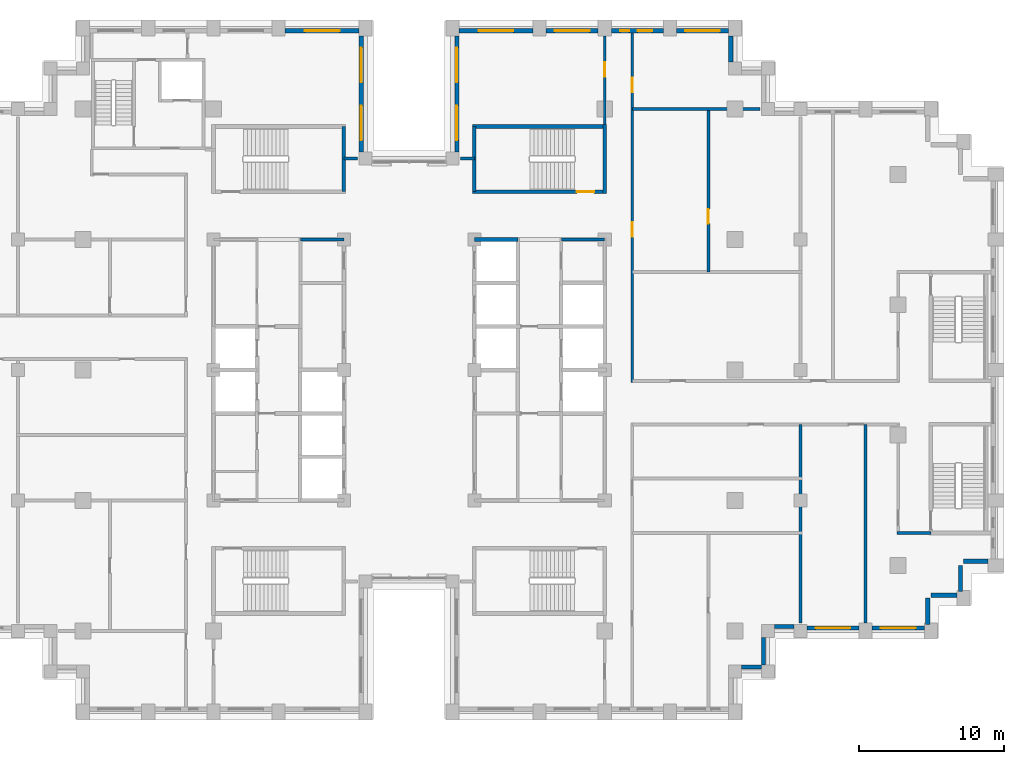
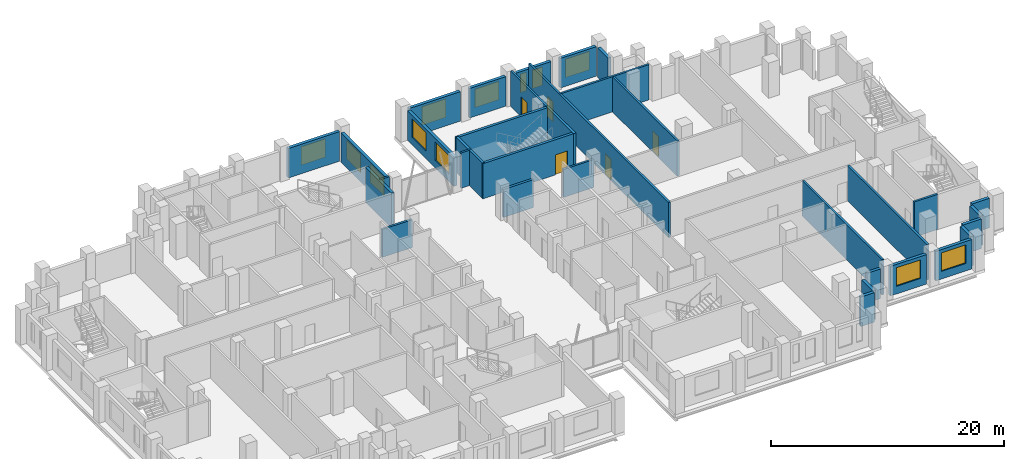
# One storey, part 11 of 16: 34 walls, 12 windows, 5 doors, 17 openings.
"""IFC4 building model written with IfcOpenShell, lengths in metres."""

import ifcopenshell
import ifcopenshell.guid

model = None  # the IFC model being written
_history = None  # IfcOwnerHistory: only IFC2X3 demands one
_inside = {}  # id of a spatial element -> (the spatial element, [elements in it])
_under = {}  # id of a project, library or spatial element -> (it, [spatial elements below it])
_declared = {}  # id of a project -> (the project, [libraries it declares])
_typed = {}  # id of a type object -> (the type object, [elements of that type])
_made_of = {}  # id of a material, layer set ... -> (it, [elements and type objects made of it])


def new_model(schema):
    """Start an empty IFC model of exactly this schema.

    Asked for "IFC4X3", IfcOpenShell would pick the latest addendum, in which some entities
    have other attributes; the version numbers below select the first issue.
    IFC2X3 requires an IfcOwnerHistory on every rooted entity: one is made here for all.
    """
    global model, _history
    if schema == "IFC4X3":
        model = ifcopenshell.file(schema_version=(4, 3, 0, 0))
    else:
        model = ifcopenshell.file(schema=schema)
    _inside.clear()
    _under.clear()
    _declared.clear()
    _typed.clear()
    _made_of.clear()
    _history = None
    if model.schema == "IFC2X3":
        org = make("IfcOrganization", Name="unknown")
        user = make(
            "IfcPersonAndOrganization",
            ThePerson=make("IfcPerson", FamilyName="unknown"),
            TheOrganization=org,
        )
        app = make(
            "IfcApplication",
            ApplicationDeveloper=org,
            Version="unknown",
            ApplicationFullName="unknown",
            ApplicationIdentifier="unknown",
        )
        _history = make(
            "IfcOwnerHistory",
            OwningUser=user,
            OwningApplication=app,
            ChangeAction="ADDED",
            CreationDate=0,
        )
    return model


def make(cls, **values):
    """One entity of the class cls with the attributes given. An attribute that is None is left unset."""
    return model.create_entity(
        cls, **{name: value for name, value in values.items() if value is not None}
    )


def rooted(cls, **values):
    """An entity with a GlobalId (a new one), such as an element, a storey or a relation."""
    return make(cls, GlobalId=ifcopenshell.guid.new(), OwnerHistory=_history, **values)


def si_unit(unit_type, name, prefix=None):
    """IfcSIUnit, for example si_unit("LENGTHUNIT", "METRE", prefix="MILLI")."""
    return make("IfcSIUnit", UnitType=unit_type, Prefix=prefix, Name=name)


def assignment(units):
    """IfcUnitAssignment: the units of a project."""
    return None if units is None else make("IfcUnitAssignment", Units=units)


def point(xyz):
    """IfcCartesianPoint."""
    return None if xyz is None else make("IfcCartesianPoint", Coordinates=xyz)


def direction(xyz):
    """IfcDirection."""
    return None if xyz is None else make("IfcDirection", DirectionRatios=xyz)


def frame(location, z_axis=None, x_axis=None):
    """IfcAxis2Placement3D, a coordinate frame: its origin and axes. An axis left out is left unset."""
    return make(
        "IfcAxis2Placement3D",
        Location=point(location),
        Axis=direction(z_axis),
        RefDirection=direction(x_axis),
    )


def frame_2d(location, x_axis=None):
    """IfcAxis2Placement2D, a coordinate frame in the plane: its origin and x axis."""
    return make(
        "IfcAxis2Placement2D", Location=point(location), RefDirection=direction(x_axis)
    )


def origin():
    """The frame at (0, 0, 0) with its axes left unset."""
    return frame((0.0, 0.0, 0.0))


def place(relative_to, where):
    """IfcLocalPlacement: puts the frame where relative to a parent placement (None: the world)."""
    return make(
        "IfcLocalPlacement", PlacementRelTo=relative_to, RelativePlacement=where
    )


def context(
    kind, dimensions, precision=None, world=None, true_north=None, identifier=None
):
    """IfcGeometricRepresentationContext, for example the 3D "Model" context."""
    return make(
        "IfcGeometricRepresentationContext",
        ContextIdentifier=identifier,
        ContextType=kind,
        CoordinateSpaceDimension=dimensions,
        Precision=precision,
        WorldCoordinateSystem=world,
        TrueNorth=true_north,
    )


def subcontext(parent, identifier, kind, view, scale=None):
    """IfcGeometricRepresentationSubContext, for example "Body" below "Model"."""
    return make(
        "IfcGeometricRepresentationSubContext",
        ContextIdentifier=identifier,
        ContextType=kind,
        ParentContext=parent,
        TargetScale=scale,
        TargetView=view,
    )


def project(units=None, contexts=None):
    """IfcProject with its units and contexts."""
    return rooted(
        "IfcProject",
        Name="project",
        RepresentationContexts=contexts,
        UnitsInContext=assignment(units),
    )


def spatial(cls, under=None, at=None, **own):
    """A site, building, storey or space (cls), placed at a placement, below another one or the project."""
    s = rooted(cls, ObjectPlacement=at, **own)
    if under is not None:
        _under.setdefault(under.id(), (under, []))[1].append(s)
    return s


def profile(cls, at=None, kind="AREA", **sizes):
    """A parametric profile (cls). Its sizes go by their IFC names, for example OverallWidth=200.0."""
    return make(cls, ProfileType=kind, Position=at, **sizes)


def rectangle(**sizes):
    """IfcRectangleProfileDef."""
    return profile("IfcRectangleProfileDef", **sizes)


def extrude(swept, where, along, depth):
    """IfcExtrudedAreaSolid: the profile swept, set in the frame where, extruded along a direction by depth."""
    return make(
        "IfcExtrudedAreaSolid",
        SweptArea=swept,
        Position=where,
        ExtrudedDirection=direction(along),
        Depth=depth,
    )


def shape(context_of_items, identifier, shape_type, items):
    """IfcShapeRepresentation: the items that make up one representation, for example the "Body"."""
    return make(
        "IfcShapeRepresentation",
        ContextOfItems=context_of_items,
        RepresentationIdentifier=identifier,
        RepresentationType=shape_type,
        Items=items,
    )


def material(Name=None, Category=None):
    """IfcMaterial."""
    return make("IfcMaterial", Name=Name, Category=Category)


def layer(
    of_material, thickness, ventilated=None, Name=None, Category=None, Priority=None
):
    """IfcMaterialLayer: one layer of a wall or slab, of a material (None: an air gap)."""
    return make(
        "IfcMaterialLayer",
        Material=of_material,
        LayerThickness=thickness,
        IsVentilated=ventilated,
        Name=Name,
        Category=Category,
        Priority=Priority,
    )


def layer_set(layers, Name=None):
    """IfcMaterialLayerSet."""
    return make("IfcMaterialLayerSet", MaterialLayers=layers, LayerSetName=Name)


def made_of(thing, what):
    """Note that an element or type object is made of a material, layer set ...; save() writes the relation."""
    if what is not None:
        _made_of.setdefault(what.id(), (what, []))[1].append(thing)
    return thing


def type_object(cls, material=None, **own):
    """A type object (cls), such as IfcWallType, which elements share."""
    return made_of(rooted(cls, **own), material)


def element(
    cls,
    number,
    at=None,
    inside=None,
    cuts=None,
    type_object=None,
    material=None,
    context=None,
    identifier="Body",
    shape_type=None,
    held_by="IfcProductDefinitionShape",
    body=None,
    shapes=None,
    **own,
):
    """One element of the class cls, such as IfcWall. Its Tag is "e" and its number.

    at: its placement. inside: the storey or other place that contains it. cuts: it is an
    opening in that element (IfcRelVoidsElement). A single representation is given by context,
    identifier, shape_type and body (its items); several are given by shapes. held_by: the class
    of the entity that holds the representations. save() writes the other relations.
    """
    e = rooted(cls, Tag="e%d" % number, ObjectPlacement=at, **own)
    if body is not None:
        shapes = [shape(context, identifier, shape_type, body)]
    if shapes is not None:
        e.Representation = make(held_by, Representations=shapes)
    if inside is not None:
        _inside.setdefault(inside.id(), (inside, []))[1].append(e)
    if cuts is not None:
        rooted(
            "IfcRelVoidsElement", RelatingBuildingElement=cuts, RelatedOpeningElement=e
        )
    if type_object is not None:
        _typed.setdefault(type_object.id(), (type_object, []))[1].append(e)
    return made_of(e, material)


def fill(opening, filler):
    """IfcRelFillsElement: the door or window that sits in an opening."""
    return rooted(
        "IfcRelFillsElement",
        RelatingOpeningElement=opening,
        RelatedBuildingElement=filler,
    )


def aggregate(whole, parts):
    """IfcRelAggregates: a whole, such as a stair, and the parts it consists of."""
    return rooted("IfcRelAggregates", RelatingObject=whole, RelatedObjects=parts)


def save(model, path):
    """Write the relations noted so far, then the file.

    IfcRelAggregates (storeys below a building ...), IfcRelContainedInSpatialStructure (elements
    in a storey), IfcRelDefinesByType, IfcRelAssociatesMaterial and IfcRelDeclares: one each for
    every whole, place, type object, material and project.
    """
    for whole, parts in _under.values():
        aggregate(whole, parts)
    for where, things in _inside.values():
        rooted(
            "IfcRelContainedInSpatialStructure",
            RelatedElements=things,
            RelatingStructure=where,
        )
    for kind, things in _typed.values():
        rooted("IfcRelDefinesByType", RelatedObjects=things, RelatingType=kind)
    for what, things in _made_of.values():
        rooted("IfcRelAssociatesMaterial", RelatedObjects=things, RelatingMaterial=what)
    for by, libraries in _declared.values():
        rooted("IfcRelDeclares", RelatingContext=by, RelatedDefinitions=libraries)
    model.write(path)


model = new_model("IFC4")

# Units and contexts
model_context = context("Model", 3, precision=1e-05, world=origin(), true_north=direction((0.0, 1.0)))
body_context = subcontext(model_context, "Body", "Model", "MODEL_VIEW")
ifc_project = project(units=[si_unit("LENGTHUNIT", "METRE"), si_unit("AREAUNIT", "SQUARE_METRE"), si_unit("VOLUMEUNIT", "CUBIC_METRE"), si_unit("PLANEANGLEUNIT", "RADIAN"), si_unit("MASSUNIT", "GRAM", prefix="KILO")], contexts=[model_context])

# Site, building, storey
site_placement = place(None, origin())
site = spatial("IfcSite", under=ifc_project, at=site_placement, CompositionType="ELEMENT")
building_placement = place(site_placement, origin())
building = spatial("IfcBuilding", under=site, at=building_placement, Name="Corbelhall Arena Tower", CompositionType="ELEMENT")
storey_placement = place(building_placement, frame((0.0, 0.0, 170.0)))
storey = spatial("IfcBuildingStorey", under=building, at=storey_placement, Name="L34", CompositionType="ELEMENT", Elevation=170.0)

# Walls
ifc_material_1 = material(Name="Precast concrete C40/50 with granite facing", Category="masonry")
ifc_layer_1 = layer(ifc_material_1, 0.300048828125)
ifc_layer_set_1 = layer_set([ifc_layer_1], Name="EV-IW1 Infill panel 300")
wall_type_1 = type_object("IfcWallType", Name="EV-IW1 Infill panel 300", PredefinedType="SOLIDWALL", material=ifc_layer_set_1)
for number, where, z_axis, x_axis, name in (
    (1, (35.800048828125, -17.550048828125, 0.0), (0.0, 0.0, 1.0), (0.0, 1.0, 0.0), "Infill panel IW1"),
    (2, (37.800048828125, -15.550048828125, 0.0), (0.0, 0.0, 1.0), (-1.0, 0.0, 0.0), "Infill panel IW1"),
    (3, (38.050048828125, -15.300048828125, 0.0), (0.0, 0.0, 1.0), (0.0, 1.0, 0.0), "Infill panel IW1"),
):
    element("IfcWall", number, at=place(storey_placement, frame(where, z_axis=z_axis, x_axis=x_axis)), inside=storey, type_object=wall_type_1, Name=name, PredefinedType="SOLIDWALL", context=body_context, shape_type="SweptSolid", body=[
        extrude(rectangle(XDim=1.800048828125, YDim=0.300048828125, at=frame_2d((0.89990234375, 0.0))), origin(), (0.0, 0.0, 1.0), 3.10009765625),
    ])
wall_1_placement = place(storey_placement, frame((39.949951171875, -13.199951171875, 0.0), z_axis=(0.0, 0.0, 1.0), x_axis=(-1.0, 0.0, 0.0)))
element("IfcWall", 4, at=wall_1_placement, inside=storey, type_object=wall_type_1, Name="Infill panel IW1", PredefinedType="SOLIDWALL", context=body_context, shape_type="SweptSolid", body=[
    extrude(rectangle(XDim=1.699951171875, YDim=0.300048828125, at=frame_2d((0.85009765625, 0.0))), origin(), (0.0, 0.0, 1.0), 3.10009765625),
])
wall_2_placement = place(storey_placement, frame((22.949951171875, -20.5, 0.0), z_axis=(0.0, 0.0, 1.0), x_axis=(1.0, 0.0, 0.0)))
element("IfcWall", 5, at=wall_2_placement, inside=storey, type_object=wall_type_1, Name="Infill panel IW1", PredefinedType="SOLIDWALL", context=body_context, shape_type="SweptSolid", body=[
    extrude(rectangle(XDim=1.35009765625, YDim=0.300048828125, at=frame_2d((0.675048828125, 0.0))), origin(), (0.0, 0.0, 1.0), 3.10009765625),
])
wall_3_placement = place(storey_placement, frame((24.449951171875, -20.35009765625, 0.0), z_axis=(0.0, 0.0, 1.0), x_axis=(0.0, 1.0, 0.0)))
element("IfcWall", 6, at=wall_3_placement, inside=storey, type_object=wall_type_1, Name="Infill panel IW1", PredefinedType="SOLIDWALL", context=body_context, shape_type="SweptSolid", body=[
    extrude(rectangle(XDim=1.900146484375, YDim=0.300048828125, at=frame_2d((0.9501953125, 0.0))), origin(), (0.0, 0.0, 1.0), 3.10009765625),
])
wall_4_placement = place(storey_placement, frame((25.199951171875, -17.699951171875, 0.0), z_axis=(0.0, 0.0, 1.0), x_axis=(1.0, 0.0, 0.0)))
element("IfcWall", 7, at=wall_4_placement, inside=storey, type_object=wall_type_1, Name="Infill panel IW1", PredefinedType="SOLIDWALL", context=body_context, shape_type="SweptSolid", body=[
    extrude(rectangle(XDim=1.35009765625, YDim=0.300048828125, at=frame_2d((0.675048828125, 0.0))), origin(), (0.0, 0.0, 1.0), 3.10009765625),
])

# Wall, opening, window
wall_5_placement = place(storey_placement, frame((27.449951171875, -17.800048828125, 0.0), z_axis=(0.0, 0.0, 1.0), x_axis=(1.0, 0.0, 0.0)))
wall_5 = element("IfcWall", 8, at=wall_5_placement, inside=storey, type_object=wall_type_1, Name="Infill panel IW1", PredefinedType="SOLIDWALL", context=body_context, shape_type="SweptSolid", body=[
    extrude(rectangle(XDim=3.60009765625, YDim=0.300048828125, at=frame_2d((1.800048828125, 0.0))), origin(), (0.0, 0.0, 1.0), 3.10009765625),
])
opening_1_placement = place(wall_5_placement, frame((0.60009765625, 0.0, 0.800048828125)))
opening_1 = element("IfcOpeningElement", 9, at=opening_1_placement, cuts=wall_5, Name="Opening WN1", PredefinedType="OPENING", context=body_context, shape_type="SweptSolid", body=[
    extrude(rectangle(XDim=2.39990234375, YDim=1.949951171875, at=frame_2d((1.199951171875, 0.97509765625))), frame((0.0, 0.14990234375, 0.0), z_axis=(0.0, -1.0, 0.0), x_axis=(1.0, 0.0, 0.0)), (0.0, 0.0, 1.0), 0.300048828125),
])
ifc_material_2 = material(Name="Aluminium black anodised", Category="aluminium")
window_type_1 = type_object("IfcWindowType", Name="EV-WN1 Office window", PartitioningType="SINGLE_PANEL", PredefinedType="WINDOW", material=ifc_material_2)
window_1_placement = place(opening_1_placement, origin())
window_1 = element("IfcWindow", 10, at=window_1_placement, inside=storey, type_object=window_type_1, Name="Window WN1", OverallHeight=1.949951171875, OverallWidth=2.39990234375, PartitioningType="SINGLE_PANEL", PredefinedType="WINDOW", context=body_context, shape_type="SweptSolid", body=[
    extrude(rectangle(XDim=2.39990234375, YDim=1.949951171875, at=frame_2d((1.199951171875, 0.97509765625))), frame((0.0, 0.030029296875, 0.0), z_axis=(0.0, -1.0, 0.0), x_axis=(1.0, 0.0, 0.0)), (0.0, 0.0, 1.0), 0.06005859375),
])
fill(opening_1, window_1)

wall_6_placement = place(storey_placement, frame((31.949951171875, -17.800048828125, 0.0), z_axis=(0.0, 0.0, 1.0), x_axis=(1.0, 0.0, 0.0)))
wall_6 = element("IfcWall", 11, at=wall_6_placement, inside=storey, type_object=wall_type_1, Name="Infill panel IW1", PredefinedType="SOLIDWALL", context=body_context, shape_type="SweptSolid", body=[
    extrude(rectangle(XDim=3.60009765625, YDim=0.300048828125, at=frame_2d((1.800048828125, 0.0))), origin(), (0.0, 0.0, 1.0), 3.10009765625),
])
opening_2_placement = place(wall_6_placement, frame((0.60009765625, 0.0, 0.800048828125)))
opening_2 = element("IfcOpeningElement", 12, at=opening_2_placement, cuts=wall_6, Name="Opening WN1", PredefinedType="OPENING", context=body_context, shape_type="SweptSolid", body=[
    extrude(rectangle(XDim=2.39990234375, YDim=1.949951171875, at=frame_2d((1.199951171875, 0.97509765625))), frame((0.0, 0.14990234375, 0.0), z_axis=(0.0, -1.0, 0.0), x_axis=(1.0, 0.0, 0.0)), (0.0, 0.0, 1.0), 0.300048828125),
])
window_2_placement = place(opening_2_placement, origin())
window_2 = element("IfcWindow", 13, at=window_2_placement, inside=storey, type_object=window_type_1, Name="Window WN1", OverallHeight=1.949951171875, OverallWidth=2.39990234375, PartitioningType="SINGLE_PANEL", PredefinedType="WINDOW", context=body_context, shape_type="SweptSolid", body=[
    extrude(rectangle(XDim=2.39990234375, YDim=1.949951171875, at=frame_2d((1.199951171875, 0.97509765625))), frame((0.0, 0.030029296875, 0.0), z_axis=(0.0, -1.0, 0.0), x_axis=(1.0, 0.0, 0.0)), (0.0, 0.0, 1.0), 0.06005859375),
])
fill(opening_2, window_2)

# Wall
wall_7_placement = place(storey_placement, frame((22.199951171875, 21.25, 0.0), z_axis=(0.0, 0.0, 1.0), x_axis=(0.0, 1.0, 0.0)))
element("IfcWall", 14, at=wall_7_placement, inside=storey, type_object=wall_type_1, Name="Infill panel IW1", PredefinedType="SOLIDWALL", context=body_context, shape_type="SweptSolid", body=[
    extrude(rectangle(XDim=1.800048828125, YDim=0.300048828125, at=frame_2d((0.89990234375, 0.0))), origin(), (0.0, 0.0, 1.0), 3.10009765625),
])

# Wall, opening, window
wall_8_placement = place(storey_placement, frame((22.050048828125, 23.39990234375, 0.0), z_axis=(0.0, 0.0, 1.0), x_axis=(-1.0, 0.0, 0.0)))
wall_8 = element("IfcWall", 15, at=wall_8_placement, inside=storey, type_object=wall_type_1, Name="Infill panel IW1", PredefinedType="SOLIDWALL", context=body_context, shape_type="SweptSolid", body=[
    extrude(rectangle(XDim=3.60009765625, YDim=0.300048828125, at=frame_2d((1.800048828125, 0.0))), origin(), (0.0, 0.0, 1.0), 3.10009765625),
])
opening_3_placement = place(wall_8_placement, frame((0.60009765625, 0.0, 0.800048828125)))
opening_3 = element("IfcOpeningElement", 16, at=opening_3_placement, cuts=wall_8, Name="Opening WN1", PredefinedType="OPENING", context=body_context, shape_type="SweptSolid", body=[
    extrude(rectangle(XDim=2.39990234375, YDim=1.949951171875, at=frame_2d((1.199951171875, 0.97509765625))), frame((0.0, 0.14990234375, 0.0), z_axis=(0.0, -1.0, 0.0), x_axis=(1.0, 0.0, 0.0)), (0.0, 0.0, 1.0), 0.300048828125),
])
window_3_placement = place(opening_3_placement, origin())
window_3 = element("IfcWindow", 17, at=window_3_placement, inside=storey, type_object=window_type_1, Name="Window WN1", OverallHeight=1.949951171875, OverallWidth=2.39990234375, PartitioningType="SINGLE_PANEL", PredefinedType="WINDOW", context=body_context, shape_type="SweptSolid", body=[
    extrude(rectangle(XDim=2.39990234375, YDim=1.949951171875, at=frame_2d((1.199951171875, 0.97509765625))), frame((0.0, 0.030029296875, 0.0), z_axis=(0.0, -1.0, 0.0), x_axis=(1.0, 0.0, 0.0)), (0.0, 0.0, 1.0), 0.06005859375),
])
fill(opening_3, window_3)

# Wall, openings, windows
wall_9_placement = place(storey_placement, frame((17.550048828125, 23.39990234375, 0.0), z_axis=(0.0, 0.0, 1.0), x_axis=(-1.0, 0.0, 0.0)))
wall_9 = element("IfcWall", 18, at=wall_9_placement, inside=storey, type_object=wall_type_1, Name="Infill panel IW1", PredefinedType="SOLIDWALL", context=body_context, shape_type="SweptSolid", body=[
    extrude(rectangle(XDim=3.60009765625, YDim=0.300048828125, at=frame_2d((1.800048828125, 0.0))), origin(), (0.0, 0.0, 1.0), 3.10009765625),
])
opening_4_placement = place(wall_9_placement, frame((0.77490234375, 0.0, 0.800048828125)))
opening_4 = element("IfcOpeningElement", 19, at=opening_4_placement, cuts=wall_9, Name="Opening WN6", PredefinedType="OPENING", context=body_context, shape_type="SweptSolid", body=[
    extrude(rectangle(XDim=1.0, YDim=1.949951171875, at=frame_2d((0.5, 0.97509765625))), frame((0.0, 0.14990234375, 0.0), z_axis=(0.0, -1.0, 0.0), x_axis=(1.0, 0.0, 0.0)), (0.0, 0.0, 1.0), 0.300048828125),
])
opening_5_placement = place(wall_9_placement, frame((2.375, 0.0, 0.800048828125)))
opening_5 = element("IfcOpeningElement", 20, at=opening_5_placement, cuts=wall_9, Name="Opening WN5", PredefinedType="OPENING", context=body_context, shape_type="SweptSolid", body=[
    extrude(rectangle(XDim=0.60009765625, YDim=1.949951171875, at=frame_2d((0.300048828125, 0.97509765625))), frame((0.0, 0.14990234375, 0.0), z_axis=(0.0, -1.0, 0.0), x_axis=(1.0, 0.0, 0.0)), (0.0, 0.0, 1.0), 0.300048828125),
])
window_type_2 = type_object("IfcWindowType", Name="EV-WN5 Office window 600", PartitioningType="SINGLE_PANEL", PredefinedType="WINDOW", material=ifc_material_2)
window_4_placement = place(opening_5_placement, origin())
window_4 = element("IfcWindow", 21, at=window_4_placement, inside=storey, type_object=window_type_2, Name="Window WN5", OverallHeight=1.949951171875, OverallWidth=0.60009765625, PartitioningType="SINGLE_PANEL", PredefinedType="WINDOW", context=body_context, shape_type="SweptSolid", body=[
    extrude(rectangle(XDim=0.60009765625, YDim=1.949951171875, at=frame_2d((0.300048828125, 0.97509765625))), frame((0.0, 0.030029296875, 0.0), z_axis=(0.0, -1.0, 0.0), x_axis=(1.0, 0.0, 0.0)), (0.0, 0.0, 1.0), 0.06005859375),
])
fill(opening_5, window_4)
window_type_3 = type_object("IfcWindowType", Name="EV-WN6 Office window 1000", PartitioningType="SINGLE_PANEL", PredefinedType="WINDOW", material=ifc_material_2)
window_5_placement = place(opening_4_placement, origin())
window_5 = element("IfcWindow", 22, at=window_5_placement, inside=storey, type_object=window_type_3, Name="Window WN6", OverallHeight=1.949951171875, OverallWidth=1.0, PartitioningType="SINGLE_PANEL", PredefinedType="WINDOW", context=body_context, shape_type="SweptSolid", body=[
    extrude(rectangle(XDim=1.0, YDim=1.949951171875, at=frame_2d((0.5, 0.97509765625))), frame((0.0, 0.030029296875, 0.0), z_axis=(0.0, -1.0, 0.0), x_axis=(1.0, 0.0, 0.0)), (0.0, 0.0, 1.0), 0.06005859375),
])
fill(opening_4, window_5)

# Wall, opening, window
wall_10_placement = place(storey_placement, frame((13.050048828125, 23.39990234375, 0.0), z_axis=(0.0, 0.0, 1.0), x_axis=(-1.0, 0.0, 0.0)))
wall_10 = element("IfcWall", 23, at=wall_10_placement, inside=storey, type_object=wall_type_1, Name="Infill panel IW1", PredefinedType="SOLIDWALL", context=body_context, shape_type="SweptSolid", body=[
    extrude(rectangle(XDim=3.60009765625, YDim=0.300048828125, at=frame_2d((1.800048828125, 0.0))), origin(), (0.0, 0.0, 1.0), 3.10009765625),
])
opening_6_placement = place(wall_10_placement, frame((0.60009765625, 0.0, 0.800048828125)))
opening_6 = element("IfcOpeningElement", 24, at=opening_6_placement, cuts=wall_10, Name="Opening WN1", PredefinedType="OPENING", context=body_context, shape_type="SweptSolid", body=[
    extrude(rectangle(XDim=2.39990234375, YDim=1.949951171875, at=frame_2d((1.199951171875, 0.97509765625))), frame((0.0, 0.14990234375, 0.0), z_axis=(0.0, -1.0, 0.0), x_axis=(1.0, 0.0, 0.0)), (0.0, 0.0, 1.0), 0.300048828125),
])
window_6_placement = place(opening_6_placement, origin())
window_6 = element("IfcWindow", 25, at=window_6_placement, inside=storey, type_object=window_type_1, Name="Window WN1", OverallHeight=1.949951171875, OverallWidth=2.39990234375, PartitioningType="SINGLE_PANEL", PredefinedType="WINDOW", context=body_context, shape_type="SweptSolid", body=[
    extrude(rectangle(XDim=2.39990234375, YDim=1.949951171875, at=frame_2d((1.199951171875, 0.97509765625))), frame((0.0, 0.030029296875, 0.0), z_axis=(0.0, -1.0, 0.0), x_axis=(1.0, 0.0, 0.0)), (0.0, 0.0, 1.0), 0.06005859375),
])
fill(opening_6, window_6)

wall_11_placement = place(storey_placement, frame((8.550048828125, 23.39990234375, 0.0), z_axis=(0.0, 0.0, 1.0), x_axis=(-1.0, 0.0, 0.0)))
wall_11 = element("IfcWall", 26, at=wall_11_placement, inside=storey, type_object=wall_type_1, Name="Infill panel IW1", PredefinedType="SOLIDWALL", context=body_context, shape_type="SweptSolid", body=[
    extrude(rectangle(XDim=5.10009765625, YDim=0.300048828125, at=frame_2d((2.550048828125, 0.0))), origin(), (0.0, 0.0, 1.0), 3.10009765625),
])
opening_7_placement = place(wall_11_placement, frame((1.35009765625, 0.0, 0.800048828125)))
opening_7 = element("IfcOpeningElement", 27, at=opening_7_placement, cuts=wall_11, Name="Opening WN1", PredefinedType="OPENING", context=body_context, shape_type="SweptSolid", body=[
    extrude(rectangle(XDim=2.39990234375, YDim=1.949951171875, at=frame_2d((1.199951171875, 0.97509765625))), frame((0.0, 0.14990234375, 0.0), z_axis=(0.0, -1.0, 0.0), x_axis=(1.0, 0.0, 0.0)), (0.0, 0.0, 1.0), 0.300048828125),
])
window_7_placement = place(opening_7_placement, origin())
window_7 = element("IfcWindow", 28, at=window_7_placement, inside=storey, type_object=window_type_1, Name="Window WN1", OverallHeight=1.949951171875, OverallWidth=2.39990234375, PartitioningType="SINGLE_PANEL", PredefinedType="WINDOW", context=body_context, shape_type="SweptSolid", body=[
    extrude(rectangle(XDim=2.39990234375, YDim=1.949951171875, at=frame_2d((1.199951171875, 0.97509765625))), frame((0.0, 0.030029296875, 0.0), z_axis=(0.0, -1.0, 0.0), x_axis=(1.0, 0.0, 0.0)), (0.0, 0.0, 1.0), 0.06005859375),
])
fill(opening_7, window_7)

# Wall, openings, windows
wall_12_placement = place(storey_placement, frame((3.300048828125, 23.050048828125, 0.0), z_axis=(0.0, 0.0, 1.0), x_axis=(0.0, -1.0, 0.0)))
wall_12 = element("IfcWall", 29, at=wall_12_placement, inside=storey, type_object=wall_type_1, Name="Infill panel IW1", PredefinedType="SOLIDWALL", context=body_context, shape_type="SweptSolid", body=[
    extrude(rectangle(XDim=8.0, YDim=0.300048828125, at=frame_2d((4.0, 0.0))), origin(), (0.0, 0.0, 1.0), 3.10009765625),
])
opening_8_placement = place(wall_12_placement, frame((0.800048828125, 0.0, 0.800048828125)))
opening_8 = element("IfcOpeningElement", 30, at=opening_8_placement, cuts=wall_12, Name="Opening WN1", PredefinedType="OPENING", context=body_context, shape_type="SweptSolid", body=[
    extrude(rectangle(XDim=2.39990234375, YDim=1.949951171875, at=frame_2d((1.199951171875, 0.97509765625))), frame((0.0, 0.14990234375, 0.0), z_axis=(0.0, -1.0, 0.0), x_axis=(1.0, 0.0, 0.0)), (0.0, 0.0, 1.0), 0.300048828125),
])
opening_9_placement = place(wall_12_placement, frame((4.800048828125, 0.0, 0.800048828125)))
opening_9 = element("IfcOpeningElement", 31, at=opening_9_placement, cuts=wall_12, Name="Opening WN1", PredefinedType="OPENING", context=body_context, shape_type="SweptSolid", body=[
    extrude(rectangle(XDim=2.39990234375, YDim=1.949951171875, at=frame_2d((1.199951171875, 0.97509765625))), frame((0.0, 0.14990234375, 0.0), z_axis=(0.0, -1.0, 0.0), x_axis=(1.0, 0.0, 0.0)), (0.0, 0.0, 1.0), 0.300048828125),
])
window_8_placement = place(opening_8_placement, origin())
window_8 = element("IfcWindow", 32, at=window_8_placement, inside=storey, type_object=window_type_1, Name="Window WN1", OverallHeight=1.949951171875, OverallWidth=2.39990234375, PartitioningType="SINGLE_PANEL", PredefinedType="WINDOW", context=body_context, shape_type="SweptSolid", body=[
    extrude(rectangle(XDim=2.39990234375, YDim=1.949951171875, at=frame_2d((1.199951171875, 0.97509765625))), frame((0.0, 0.030029296875, 0.0), z_axis=(0.0, -1.0, 0.0), x_axis=(1.0, 0.0, 0.0)), (0.0, 0.0, 1.0), 0.06005859375),
])
fill(opening_8, window_8)
window_9_placement = place(opening_9_placement, origin())
window_9 = element("IfcWindow", 33, at=window_9_placement, inside=storey, type_object=window_type_1, Name="Window WN1", OverallHeight=1.949951171875, OverallWidth=2.39990234375, PartitioningType="SINGLE_PANEL", PredefinedType="WINDOW", context=body_context, shape_type="SweptSolid", body=[
    extrude(rectangle(XDim=2.39990234375, YDim=1.949951171875, at=frame_2d((1.199951171875, 0.97509765625))), frame((0.0, 0.030029296875, 0.0), z_axis=(0.0, -1.0, 0.0), x_axis=(1.0, 0.0, 0.0)), (0.0, 0.0, 1.0), 0.06005859375),
])
fill(opening_9, window_9)

wall_13_placement = place(storey_placement, frame((-3.300048828125, 15.050048828125, 0.0), z_axis=(0.0, 0.0, 1.0), x_axis=(0.0, 1.0, 0.0)))
wall_13 = element("IfcWall", 34, at=wall_13_placement, inside=storey, type_object=wall_type_1, Name="Infill panel IW1", PredefinedType="SOLIDWALL", context=body_context, shape_type="SweptSolid", body=[
    extrude(rectangle(XDim=8.0, YDim=0.300048828125, at=frame_2d((4.0, 0.0))), origin(), (0.0, 0.0, 1.0), 3.10009765625),
])
opening_10_placement = place(wall_13_placement, frame((0.800048828125, 0.0, 0.800048828125)))
opening_10 = element("IfcOpeningElement", 35, at=opening_10_placement, cuts=wall_13, Name="Opening WN1", PredefinedType="OPENING", context=body_context, shape_type="SweptSolid", body=[
    extrude(rectangle(XDim=2.39990234375, YDim=1.949951171875, at=frame_2d((1.199951171875, 0.97509765625))), frame((0.0, 0.14990234375, 0.0), z_axis=(0.0, -1.0, 0.0), x_axis=(1.0, 0.0, 0.0)), (0.0, 0.0, 1.0), 0.300048828125),
])
opening_11_placement = place(wall_13_placement, frame((4.800048828125, 0.0, 0.800048828125)))
opening_11 = element("IfcOpeningElement", 36, at=opening_11_placement, cuts=wall_13, Name="Opening WN1", PredefinedType="OPENING", context=body_context, shape_type="SweptSolid", body=[
    extrude(rectangle(XDim=2.39990234375, YDim=1.949951171875, at=frame_2d((1.199951171875, 0.97509765625))), frame((0.0, 0.14990234375, 0.0), z_axis=(0.0, -1.0, 0.0), x_axis=(1.0, 0.0, 0.0)), (0.0, 0.0, 1.0), 0.300048828125),
])
window_10_placement = place(opening_10_placement, origin())
window_10 = element("IfcWindow", 37, at=window_10_placement, inside=storey, type_object=window_type_1, Name="Window WN1", OverallHeight=1.949951171875, OverallWidth=2.39990234375, PartitioningType="SINGLE_PANEL", PredefinedType="WINDOW", context=body_context, shape_type="SweptSolid", body=[
    extrude(rectangle(XDim=2.39990234375, YDim=1.949951171875, at=frame_2d((1.199951171875, 0.97509765625))), frame((0.0, 0.030029296875, 0.0), z_axis=(0.0, -1.0, 0.0), x_axis=(1.0, 0.0, 0.0)), (0.0, 0.0, 1.0), 0.06005859375),
])
fill(opening_10, window_10)
window_11_placement = place(opening_11_placement, origin())
window_11 = element("IfcWindow", 38, at=window_11_placement, inside=storey, type_object=window_type_1, Name="Window WN1", OverallHeight=1.949951171875, OverallWidth=2.39990234375, PartitioningType="SINGLE_PANEL", PredefinedType="WINDOW", context=body_context, shape_type="SweptSolid", body=[
    extrude(rectangle(XDim=2.39990234375, YDim=1.949951171875, at=frame_2d((1.199951171875, 0.97509765625))), frame((0.0, 0.030029296875, 0.0), z_axis=(0.0, -1.0, 0.0), x_axis=(1.0, 0.0, 0.0)), (0.0, 0.0, 1.0), 0.06005859375),
])
fill(opening_11, window_11)

# Wall, opening, window
wall_14_placement = place(storey_placement, frame((-3.449951171875, 23.39990234375, 0.0), z_axis=(0.0, 0.0, 1.0), x_axis=(-1.0, 0.0, 0.0)))
wall_14 = element("IfcWall", 39, at=wall_14_placement, inside=storey, type_object=wall_type_1, Name="Infill panel IW1", PredefinedType="SOLIDWALL", context=body_context, shape_type="SweptSolid", body=[
    extrude(rectangle(XDim=5.10009765625, YDim=0.300048828125, at=frame_2d((2.550048828125, 0.0))), origin(), (0.0, 0.0, 1.0), 3.10009765625),
])
opening_12_placement = place(wall_14_placement, frame((1.35009765625, 0.0, 0.800048828125)))
opening_12 = element("IfcOpeningElement", 40, at=opening_12_placement, cuts=wall_14, Name="Opening WN1", PredefinedType="OPENING", context=body_context, shape_type="SweptSolid", body=[
    extrude(rectangle(XDim=2.39990234375, YDim=1.949951171875, at=frame_2d((1.199951171875, 0.97509765625))), frame((0.0, 0.14990234375, 0.0), z_axis=(0.0, -1.0, 0.0), x_axis=(1.0, 0.0, 0.0)), (0.0, 0.0, 1.0), 0.300048828125),
])
window_12_placement = place(opening_12_placement, origin())
window_12 = element("IfcWindow", 41, at=window_12_placement, inside=storey, type_object=window_type_1, Name="Window WN1", OverallHeight=1.949951171875, OverallWidth=2.39990234375, PartitioningType="SINGLE_PANEL", PredefinedType="WINDOW", context=body_context, shape_type="SweptSolid", body=[
    extrude(rectangle(XDim=2.39990234375, YDim=1.949951171875, at=frame_2d((1.199951171875, 0.97509765625))), frame((0.0, 0.030029296875, 0.0), z_axis=(0.0, -1.0, 0.0), x_axis=(1.0, 0.0, 0.0)), (0.0, 0.0, 1.0), 0.06005859375),
])
fill(opening_12, window_12)

# Walls
ifc_material_3 = material(Name="Gypsum board on steel stud, acoustic", Category="steel")
ifc_layer_2 = layer(ifc_material_3, 0.199951171875)
ifc_layer_set_2 = layer_set([ifc_layer_2], Name="IN-W-DM200")
wall_type_2 = type_object("IfcWallType", Name="IN-W-DM200", PredefinedType="PARTITIONING", material=ifc_layer_set_2)
for number, where, z_axis, x_axis, name in (
    (42, (-4.5, 14.60009765625, 0.0), (0.0, 0.0, 1.0), (1.0, 0.0, 0.0), "Partition 024"),
    (43, (3.550048828125, 14.60009765625, 0.0), (0.0, 0.0, 1.0), (1.0, 0.0, 0.0), "Partition 026"),
):
    element("IfcWall", number, at=place(storey_placement, frame(where, z_axis=z_axis, x_axis=x_axis)), inside=storey, type_object=wall_type_2, Name=name, PredefinedType="PARTITIONING", context=body_context, shape_type="SweptSolid", body=[
        extrude(rectangle(XDim=0.949951171875, YDim=0.199951171875, at=frame_2d((0.47509765625, 0.0))), origin(), (0.0, 0.0, 1.0), 3.699951171875),
    ])

# Wall, opening, door
wall_15_placement = place(storey_placement, frame((13.5, 16.675048828125, 0.0), z_axis=(0.0, 0.0, 1.0), x_axis=(0.0, 1.0, 0.0)))
wall_15 = element("IfcWall", 44, at=wall_15_placement, inside=storey, type_object=wall_type_2, Name="Partition 029", PredefinedType="PARTITIONING", context=body_context, shape_type="SweptSolid", body=[
    extrude(rectangle(XDim=6.375, YDim=0.199951171875, at=frame_2d((3.1875, 0.0))), origin(), (0.0, 0.0, 1.0), 3.699951171875),
])
opening_13_placement = place(wall_15_placement, frame((3.550048828125, 0.0, 0.0)))
opening_13 = element("IfcOpeningElement", 45, at=opening_13_placement, cuts=wall_15, Name="Opening 10023", PredefinedType="OPENING", context=body_context, shape_type="SweptSolid", body=[
    extrude(rectangle(XDim=1.0, YDim=2.10009765625, at=frame_2d((0.5, 1.050048828125))), frame((0.0, 0.10009765625, 0.0), z_axis=(0.0, -1.0, 0.0), x_axis=(1.0, 0.0, 0.0)), (0.0, 0.0, 1.0), 0.199951171875),
])
ifc_material_4 = material(Name="Steel door set", Category="steel")
door_type_1 = type_object("IfcDoorType", Name="IN-D-SW100", OperationType="NOTDEFINED", PredefinedType="DOOR", material=ifc_material_4)
door_1_placement = place(opening_13_placement, origin())
door_1 = element("IfcDoor", 46, at=door_1_placement, inside=storey, type_object=door_type_1, Name="Door 023", OperationType="SINGLE_SWING_RIGHT", OverallHeight=2.10009765625, OverallWidth=1.0, PredefinedType="DOOR", context=body_context, shape_type="SweptSolid", body=[
    extrude(rectangle(XDim=1.0, YDim=2.10009765625, at=frame_2d((0.5, 1.050048828125))), frame((0.0, 0.02490234375, 0.0), z_axis=(0.0, -1.0, 0.0), x_axis=(1.0, 0.0, 0.0)), (0.0, 0.0, 1.0), 0.050048828125),
])
fill(opening_13, door_1)

# Wall, openings, doors
wall_16_placement = place(storey_placement, frame((15.39990234375, 23.25, 0.0), z_axis=(0.0, 0.0, 1.0), x_axis=(0.0, -1.0, 0.0)))
wall_16 = element("IfcWall", 47, at=wall_16_placement, inside=storey, type_object=wall_type_2, Name="Partition 035", PredefinedType="PARTITIONING", context=body_context, shape_type="SweptSolid", body=[
    extrude(rectangle(XDim=24.10009765625, YDim=0.199951171875, at=frame_2d((12.050048828125, 0.0))), origin(), (0.0, 0.0, 1.0), 3.699951171875),
])
opening_14_placement = place(wall_16_placement, frame((13.050048828125, 0.0, 0.0)))
opening_14 = element("IfcOpeningElement", 48, at=opening_14_placement, cuts=wall_16, Name="Opening 10035", PredefinedType="OPENING", context=body_context, shape_type="SweptSolid", body=[
    extrude(rectangle(XDim=1.0, YDim=2.10009765625, at=frame_2d((0.5, 1.050048828125))), frame((0.0, 0.10009765625, 0.0), z_axis=(0.0, -1.0, 0.0), x_axis=(1.0, 0.0, 0.0)), (0.0, 0.0, 1.0), 0.199951171875),
])
opening_15_placement = place(wall_16_placement, frame((3.10009765625, 0.0, 0.0)))
opening_15 = element("IfcOpeningElement", 49, at=opening_15_placement, cuts=wall_16, Name="Opening 10037", PredefinedType="OPENING", context=body_context, shape_type="SweptSolid", body=[
    extrude(rectangle(XDim=1.0, YDim=2.10009765625, at=frame_2d((0.5, 1.050048828125))), frame((0.0, 0.10009765625, 0.0), z_axis=(0.0, -1.0, 0.0), x_axis=(1.0, 0.0, 0.0)), (0.0, 0.0, 1.0), 0.199951171875),
])
door_2_placement = place(opening_14_placement, origin())
door_2 = element("IfcDoor", 50, at=door_2_placement, inside=storey, type_object=door_type_1, Name="Door 035", OperationType="SINGLE_SWING_RIGHT", OverallHeight=2.10009765625, OverallWidth=1.0, PredefinedType="DOOR", context=body_context, shape_type="SweptSolid", body=[
    extrude(rectangle(XDim=1.0, YDim=2.10009765625, at=frame_2d((0.5, 1.050048828125))), frame((0.0, 0.02490234375, 0.0), z_axis=(0.0, -1.0, 0.0), x_axis=(1.0, 0.0, 0.0)), (0.0, 0.0, 1.0), 0.050048828125),
])
fill(opening_14, door_2)
door_3_placement = place(opening_15_placement, origin())
door_3 = element("IfcDoor", 51, at=door_3_placement, inside=storey, type_object=door_type_1, Name="Door 037", OperationType="SINGLE_SWING_RIGHT", OverallHeight=2.10009765625, OverallWidth=1.0, PredefinedType="DOOR", context=body_context, shape_type="SweptSolid", body=[
    extrude(rectangle(XDim=1.0, YDim=2.10009765625, at=frame_2d((0.5, 1.050048828125))), frame((0.0, 0.02490234375, 0.0), z_axis=(0.0, -1.0, 0.0), x_axis=(1.0, 0.0, 0.0)), (0.0, 0.0, 1.0), 0.050048828125),
])
fill(opening_15, door_3)

# Wall
wall_17_placement = place(storey_placement, frame((15.39990234375, 18.0, 0.0), z_axis=(0.0, 0.0, 1.0), x_axis=(1.0, 0.0, 0.0)))
element("IfcWall", 52, at=wall_17_placement, inside=storey, type_object=wall_type_2, Name="Partition 036", PredefinedType="PARTITIONING", context=body_context, shape_type="SweptSolid", body=[
    extrude(rectangle(XDim=8.800048828125, YDim=0.199951171875, at=frame_2d((4.39990234375, 0.0))), origin(), (0.0, 0.0, 1.0), 3.699951171875),
])

# Wall, opening, door
wall_18_placement = place(storey_placement, frame((20.64990234375, 18.10009765625, 0.0), z_axis=(0.0, 0.0, 1.0), x_axis=(0.0, -1.0, 0.0)))
wall_18 = element("IfcWall", 53, at=wall_18_placement, inside=storey, type_object=wall_type_2, Name="Partition 038", PredefinedType="PARTITIONING", context=body_context, shape_type="SweptSolid", body=[
    extrude(rectangle(XDim=11.35009765625, YDim=0.199951171875, at=frame_2d((5.675048828125, 0.0))), origin(), (0.0, 0.0, 1.0), 3.699951171875),
])
opening_16_placement = place(wall_18_placement, frame((7.0, 0.0, 0.0)))
opening_16 = element("IfcOpeningElement", 54, at=opening_16_placement, cuts=wall_18, Name="Opening 10036", PredefinedType="OPENING", context=body_context, shape_type="SweptSolid", body=[
    extrude(rectangle(XDim=1.0, YDim=2.10009765625, at=frame_2d((0.5, 1.050048828125))), frame((0.0, 0.10009765625, 0.0), z_axis=(0.0, -1.0, 0.0), x_axis=(1.0, 0.0, 0.0)), (0.0, 0.0, 1.0), 0.199951171875),
])
door_4_placement = place(opening_16_placement, origin())
door_4 = element("IfcDoor", 55, at=door_4_placement, inside=storey, type_object=door_type_1, Name="Door 036", OperationType="SINGLE_SWING_LEFT", OverallHeight=2.10009765625, OverallWidth=1.0, PredefinedType="DOOR", context=body_context, shape_type="SweptSolid", body=[
    extrude(rectangle(XDim=1.0, YDim=2.10009765625, at=frame_2d((0.5, 1.050048828125))), frame((0.0, 0.02490234375, 0.0), z_axis=(0.0, -1.0, 0.0), x_axis=(1.0, 0.0, 0.0)), (0.0, 0.0, 1.0), 0.050048828125),
])
fill(opening_16, door_4)

# Walls
for number, where, z_axis, x_axis, name in (
    (56, (27.0, -3.75, 0.0), (0.0, 0.0, 1.0), (0.0, -1.0, 0.0), "Partition 039"),
    (57, (31.5, -3.75, 0.0), (0.0, 0.0, 1.0), (0.0, -1.0, 0.0), "Partition 043"),
):
    element("IfcWall", number, at=place(storey_placement, frame(where, z_axis=z_axis, x_axis=x_axis)), inside=storey, type_object=wall_type_2, Name=name, PredefinedType="PARTITIONING", context=body_context, shape_type="SweptSolid", body=[
        extrude(rectangle(XDim=13.699951171875, YDim=0.199951171875, at=frame_2d((6.85009765625, 0.0))), origin(), (0.0, 0.0, 1.0), 3.699951171875),
    ])
wall_19_placement = place(storey_placement, frame((36.0, -11.25, 0.0), z_axis=(0.0, 0.0, 1.0), x_axis=(-1.0, 0.0, 0.0)))
element("IfcWall", 58, at=wall_19_placement, inside=storey, type_object=wall_type_2, Name="Partition 047", PredefinedType="PARTITIONING", context=body_context, shape_type="SweptSolid", body=[
    extrude(rectangle(XDim=2.35009765625, YDim=0.199951171875, at=frame_2d((1.175048828125, 0.0))), origin(), (0.0, 0.0, 1.0), 3.699951171875),
])
ifc_material_5 = material(Name="Concrete block wall", Category="concrete")
ifc_layer_3 = layer(ifc_material_5, 0.199951171875)
ifc_layer_set_3 = layer_set([ifc_layer_3], Name="IN-W-RS200 under beam 762 mm")
wall_type_3 = type_object("IfcWallType", Name="IN-W-RS200 under beam 762 mm", PredefinedType="SOLIDWALL", material=ifc_layer_set_3)
for number, where, z_axis, x_axis, name in (
    (59, (-7.5, 9.0, 0.0), (0.0, 0.0, 1.0), (1.0, 0.0, 0.0), "Partition 052"),
    (60, (10.5, 9.0, 0.0), (0.0, 0.0, 1.0), (1.0, 0.0, 0.0), "Partition 058"),
):
    element("IfcWall", number, at=place(storey_placement, frame(where, z_axis=z_axis, x_axis=x_axis)), inside=storey, type_object=wall_type_3, Name=name, PredefinedType="SOLIDWALL", context=body_context, shape_type="SweptSolid", body=[
        extrude(rectangle(XDim=3.0, YDim=0.199951171875, at=frame_2d((1.5, 0.0))), origin(), (0.0, 0.0, 1.0), 2.93798828125),
    ])
ifc_material_6 = material(Name="Concrete C40/50", Category="concrete")
ifc_layer_4 = layer(ifc_material_6, 0.25)
ifc_layer_set_4 = layer_set([ifc_layer_4], Name="IN-W-SH250 under beam 762 mm")
wall_type_4 = type_object("IfcWallType", Name="IN-W-SH250 under beam 762 mm", PredefinedType="SOLIDWALL", material=ifc_layer_set_4)
wall_20_placement = place(storey_placement, frame((4.5, 9.0, 0.0), z_axis=(0.0, 0.0, 1.0), x_axis=(1.0, 0.0, 0.0)))
element("IfcWall", 61, at=wall_20_placement, inside=storey, type_object=wall_type_4, Name="Shaft wall 075", PredefinedType="SOLIDWALL", context=body_context, shape_type="SweptSolid", body=[
    extrude(rectangle(XDim=3.0, YDim=0.25, at=frame_2d((1.5, 0.0))), origin(), (0.0, 0.0, 1.0), 2.93798828125),
])
ifc_layer_5 = layer(ifc_material_6, 0.25)
ifc_layer_set_5 = layer_set([ifc_layer_5], Name="IN-W-ST250")
wall_type_5 = type_object("IfcWallType", Name="IN-W-ST250", PredefinedType="SOLIDWALL", material=ifc_layer_set_5)
wall_21_placement = place(storey_placement, frame((-4.5, 16.800048828125, 0.0), z_axis=(0.0, 0.0, 1.0), x_axis=(0.0, -1.0, 0.0)))
element("IfcWall", 62, at=wall_21_placement, inside=storey, type_object=wall_type_5, Name="Shaft wall 094", PredefinedType="SOLIDWALL", context=body_context, shape_type="SweptSolid", body=[
    extrude(rectangle(XDim=4.5, YDim=0.25, at=frame_2d((2.25, 0.0))), origin(), (0.0, 0.0, 1.0), 3.699951171875),
])

# Wall, opening, door
wall_22_placement = place(storey_placement, frame((4.375, 12.300048828125, 0.0), z_axis=(0.0, 0.0, 1.0), x_axis=(1.0, 0.0, 0.0)))
wall_22 = element("IfcWall", 63, at=wall_22_placement, inside=storey, type_object=wall_type_5, Name="Shaft wall 096", PredefinedType="SOLIDWALL", context=body_context, shape_type="SweptSolid", body=[
    extrude(rectangle(XDim=9.125, YDim=0.25, at=frame_2d((4.5625, 0.0))), origin(), (0.0, 0.0, 1.0), 3.699951171875),
])
opening_17_placement = place(wall_22_placement, frame((7.199951171875, 0.0, 0.0)))
opening_17 = element("IfcOpeningElement", 64, at=opening_17_placement, cuts=wall_22, Name="Opening 10016", PredefinedType="OPENING", context=body_context, shape_type="SweptSolid", body=[
    extrude(rectangle(XDim=1.199951171875, YDim=2.10009765625, at=frame_2d((0.60009765625, 1.050048828125))), frame((0.0, 0.125, 0.0), z_axis=(0.0, -1.0, 0.0), x_axis=(1.0, 0.0, 0.0)), (0.0, 0.0, 1.0), 0.25),
])
door_type_2 = type_object("IfcDoorType", Name="IN-D-ST120", OperationType="NOTDEFINED", PredefinedType="DOOR", material=ifc_material_4)
door_5_placement = place(opening_17_placement, origin())
door_5 = element("IfcDoor", 65, at=door_5_placement, inside=storey, type_object=door_type_2, Name="Door 016", OperationType="SINGLE_SWING_LEFT", OverallHeight=2.10009765625, OverallWidth=1.199951171875, PredefinedType="DOOR", context=body_context, shape_type="SweptSolid", body=[
    extrude(rectangle(XDim=1.199951171875, YDim=2.10009765625, at=frame_2d((0.60009765625, 1.050048828125))), frame((0.0, 0.02490234375, 0.0), z_axis=(0.0, -1.0, 0.0), x_axis=(1.0, 0.0, 0.0)), (0.0, 0.0, 1.0), 0.050048828125),
])
fill(opening_17, door_5)

# Walls
wall_23_placement = place(storey_placement, frame((4.375, 16.800048828125, 0.0), z_axis=(0.0, 0.0, 1.0), x_axis=(1.0, 0.0, 0.0)))
element("IfcWall", 66, at=wall_23_placement, inside=storey, type_object=wall_type_5, Name="Shaft wall 097", PredefinedType="SOLIDWALL", context=body_context, shape_type="SweptSolid", body=[
    extrude(rectangle(XDim=9.125, YDim=0.25, at=frame_2d((4.5625, 0.0))), origin(), (0.0, 0.0, 1.0), 3.699951171875),
])
wall_24_placement = place(storey_placement, frame((4.5, 12.300048828125, 0.0), z_axis=(0.0, 0.0, 1.0), x_axis=(0.0, 1.0, 0.0)))
element("IfcWall", 67, at=wall_24_placement, inside=storey, type_object=wall_type_5, Name="Shaft wall 099", PredefinedType="SOLIDWALL", context=body_context, shape_type="SweptSolid", body=[
    extrude(rectangle(XDim=4.5, YDim=0.25, at=frame_2d((2.25, 0.0))), origin(), (0.0, 0.0, 1.0), 3.699951171875),
])
wall_25_placement = place(storey_placement, frame((13.5, 12.175048828125, 0.0), z_axis=(0.0, 0.0, 1.0), x_axis=(0.0, 1.0, 0.0)))
element("IfcWall", 68, at=wall_25_placement, inside=storey, type_object=wall_type_5, Name="Shaft wall 103", PredefinedType="SOLIDWALL", context=body_context, shape_type="SweptSolid", body=[
    extrude(rectangle(XDim=4.75, YDim=0.25, at=frame_2d((2.375, 0.0))), origin(), (0.0, 0.0, 1.0), 3.699951171875),
])

save(model, "model.ifc")
